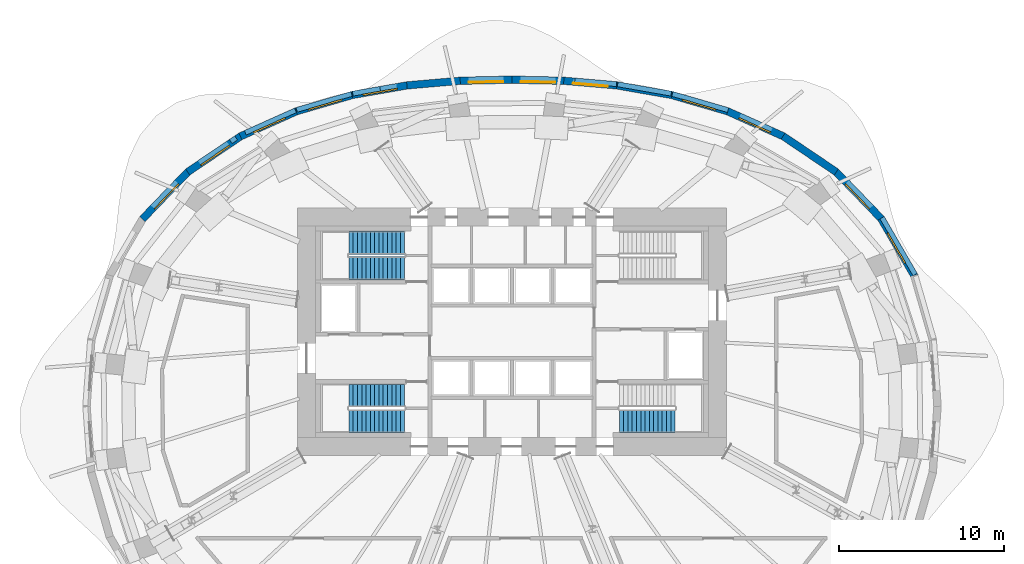
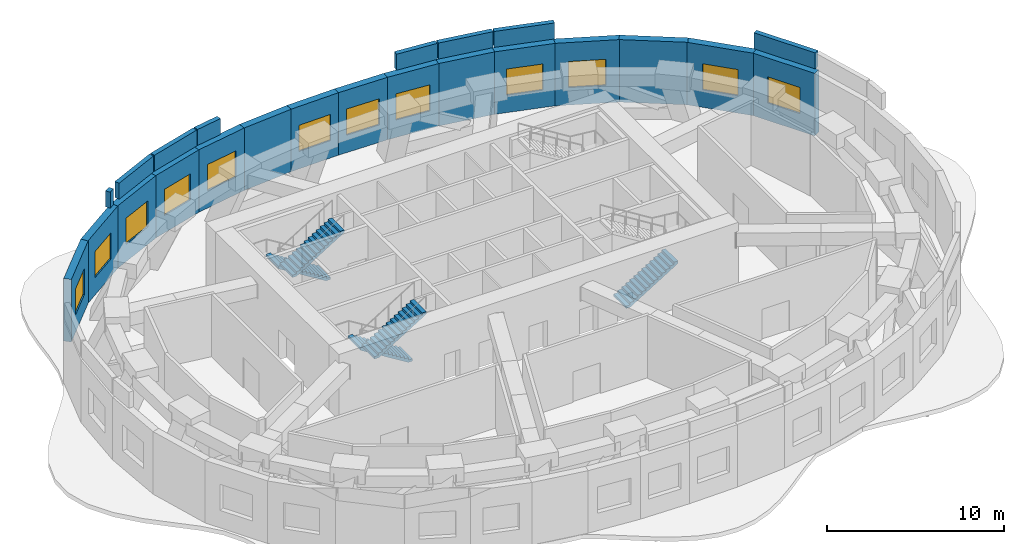
# One storey, part 9 of 11: 23 walls, 12 windows, 5 stair flights, 12 openings, 3 elements without a shape of their own.
"""IFC4 building model written with IfcOpenShell, lengths in metres."""

from ifc_helpers import new_model, si_unit, direction, frame, frame_2d, origin, place, context, subcontext, project, spatial, polyline, rectangle, outline, extrude, material, layer, layer_set, type_object, element, fill, aggregate, save


model = new_model("IFC4")

# Units and contexts
model_context = context("Model", 3, precision=1e-05, world=origin(), true_north=direction((0.0, 1.0)))
body_context = subcontext(model_context, "Body", "Model", "MODEL_VIEW")
ifc_project = project(units=[si_unit("LENGTHUNIT", "METRE"), si_unit("AREAUNIT", "SQUARE_METRE"), si_unit("VOLUMEUNIT", "CUBIC_METRE"), si_unit("PLANEANGLEUNIT", "RADIAN"), si_unit("MASSUNIT", "GRAM", prefix="KILO")], contexts=[model_context])

# Site, building, storey
site_placement = place(None, origin())
site = spatial("IfcSite", under=ifc_project, at=site_placement, CompositionType="ELEMENT")
building_placement = place(site_placement, origin())
building = spatial("IfcBuilding", under=site, at=building_placement, Name="Rubra Terraces Tower", CompositionType="ELEMENT")
storey_placement = place(building_placement, frame((0.0, 0.0, 121.199951171875)))
storey = spatial("IfcBuildingStorey", under=building, at=storey_placement, Name="L29", CompositionType="ELEMENT", Elevation=121.199951171875)

# Wall, opening, window
ifc_material_1 = material(Name="Brick masonry red-brown", Category="masonry")
ifc_layer_1 = layer(ifc_material_1, 0.449951171875)
ifc_layer_set_1 = layer_set([ifc_layer_1], Name="Brick masonry red-brown")
wall_type_1 = type_object("IfcWallType", Name="Brick facade wall 450", PredefinedType="SOLIDWALL", material=ifc_layer_set_1)
wall_1_placement = place(storey_placement, frame((24.386474609375, 7.8740234375, 0.0), z_axis=(0.0, 0.0, 1.0), x_axis=(-0.502055516261, 0.864835393929, 0.0)))
wall_1 = element("IfcWall", 1, at=wall_1_placement, inside=storey, type_object=wall_type_1, Name="Facade wall L29 bay 3", PredefinedType="SOLIDWALL", context=body_context, shape_type="SweptSolid", body=[
    extrude(rectangle(XDim=4.04931640625, YDim=0.449951171875, at=frame_2d((2.024658203125, 0.0))), origin(), (0.0, 0.0, 1.0), 4.300048828125),
])
opening_1_placement = place(wall_1_placement, frame((0.974609375, 0.0, 1.199951171875)))
opening_1 = element("IfcOpeningElement", 2, at=opening_1_placement, cuts=wall_1, Name="Opening W4", PredefinedType="OPENING", context=body_context, shape_type="SweptSolid", body=[
    extrude(rectangle(XDim=2.10009765625, YDim=1.800048828125, at=frame_2d((1.050048828125, 0.89990234375))), frame((0.0, 0.23486328125, 0.0), z_axis=(0.0, -1.0, 0.0), x_axis=(1.0, 0.0, 0.0)), (0.0, 0.0, 1.0), 0.469970703125),
])
ifc_material_2 = material(Name="Clear glass in aluminium frame", Category="aluminium")
window_type = type_object("IfcWindowType", Name="Louvred plant window 2100 x 1800", PartitioningType="SINGLE_PANEL", PredefinedType="WINDOW", material=ifc_material_2)
window_1_placement = place(opening_1_placement, origin())
window_1 = element("IfcWindow", 3, at=window_1_placement, inside=storey, type_object=window_type, Name="Window L29 bay 3", OverallHeight=1.800048828125, OverallWidth=2.10009765625, PartitioningType="SINGLE_PANEL", PredefinedType="WINDOW", context=body_context, shape_type="SweptSolid", body=[
    extrude(rectangle(XDim=2.10009765625, YDim=1.800048828125, at=frame_2d((1.050048828125, 0.89990234375))), frame((0.0, 0.135009765625, 0.0), z_axis=(0.0, -1.0, 0.0), x_axis=(1.0, 0.0, 0.0)), (0.0, 0.0, 1.0), 0.06005859375),
])
fill(opening_1, window_1)

wall_2_placement = place(storey_placement, frame((22.385986328125, 11.332763671875, 0.0), z_axis=(0.0, 0.0, 1.0), x_axis=(-0.694225992979, 0.719757091436, 0.0)))
wall_2 = element("IfcWall", 4, at=wall_2_placement, inside=storey, type_object=wall_type_1, Name="Facade wall L29 bay 4", PredefinedType="SOLIDWALL", context=body_context, shape_type="SweptSolid", body=[
    extrude(rectangle(XDim=3.9970703125, YDim=0.449951171875, at=frame_2d((1.99853515625, 0.0))), origin(), (0.0, 0.0, 1.0), 4.300048828125),
])
opening_2_placement = place(wall_2_placement, frame((0.948486328125, 0.0, 1.199951171875)))
opening_2 = element("IfcOpeningElement", 5, at=opening_2_placement, cuts=wall_2, Name="Opening W4", PredefinedType="OPENING", context=body_context, shape_type="SweptSolid", body=[
    extrude(rectangle(XDim=2.10009765625, YDim=1.800048828125, at=frame_2d((1.050048828125, 0.89990234375))), frame((0.0, 0.23486328125, 0.0), z_axis=(0.0, -1.0, 0.0), x_axis=(1.0, 0.0, 0.0)), (0.0, 0.0, 1.0), 0.469970703125),
])
window_2_placement = place(opening_2_placement, origin())
window_2 = element("IfcWindow", 6, at=window_2_placement, inside=storey, type_object=window_type, Name="Window L29 bay 4", OverallHeight=1.800048828125, OverallWidth=2.10009765625, PartitioningType="SINGLE_PANEL", PredefinedType="WINDOW", context=body_context, shape_type="SweptSolid", body=[
    extrude(rectangle(XDim=2.10009765625, YDim=1.800048828125, at=frame_2d((1.050048828125, 0.89990234375))), frame((0.0, 0.135009765625, 0.0), z_axis=(0.0, -1.0, 0.0), x_axis=(1.0, 0.0, 0.0)), (0.0, 0.0, 1.0), 0.06005859375),
])
fill(opening_2, window_2)

# Wall
wall_3_placement = place(storey_placement, frame((19.647216796875, 14.179443359375, 0.0), z_axis=(0.0, 0.0, 1.0), x_axis=(-0.829039015156, 0.559190764721, 0.0)))
element("IfcWall", 7, at=wall_3_placement, inside=storey, type_object=wall_type_1, Name="Facade wall L29 bay 5", PredefinedType="SOLIDWALL", context=body_context, shape_type="SweptSolid", body=[
    extrude(rectangle(XDim=3.894775390625, YDim=0.449951171875, at=frame_2d((1.947265625, 0.0))), origin(), (0.0, 0.0, 1.0), 4.300048828125),
])

# Wall, opening, window
wall_4_placement = place(storey_placement, frame((16.451904296875, 16.338623046875, 0.0), z_axis=(0.0, 0.0, 1.0), x_axis=(-0.912495881005, 0.409085892142, 0.0)))
wall_4 = element("IfcWall", 8, at=wall_4_placement, inside=storey, type_object=wall_type_1, Name="Facade wall L29 bay 6", PredefinedType="SOLIDWALL", context=body_context, shape_type="SweptSolid", body=[
    extrude(rectangle(XDim=3.740234375, YDim=0.449951171875, at=frame_2d((1.8701171875, 0.0))), origin(), (0.0, 0.0, 1.0), 4.300048828125),
])
opening_3_placement = place(wall_4_placement, frame((0.820068359375, 0.0, 1.199951171875)))
opening_3 = element("IfcOpeningElement", 9, at=opening_3_placement, cuts=wall_4, Name="Opening W4", PredefinedType="OPENING", context=body_context, shape_type="SweptSolid", body=[
    extrude(rectangle(XDim=2.10009765625, YDim=1.800048828125, at=frame_2d((1.050048828125, 0.89990234375))), frame((0.0, 0.23486328125, 0.0), z_axis=(0.0, -1.0, 0.0), x_axis=(1.0, 0.0, 0.0)), (0.0, 0.0, 1.0), 0.469970703125),
])
window_3_placement = place(opening_3_placement, origin())
window_3 = element("IfcWindow", 10, at=window_3_placement, inside=storey, type_object=window_type, Name="Window L29 bay 6", OverallHeight=1.800048828125, OverallWidth=2.10009765625, PartitioningType="SINGLE_PANEL", PredefinedType="WINDOW", context=body_context, shape_type="SweptSolid", body=[
    extrude(rectangle(XDim=2.10009765625, YDim=1.800048828125, at=frame_2d((1.050048828125, 0.89990234375))), frame((0.0, 0.135009765625, 0.0), z_axis=(0.0, -1.0, 0.0), x_axis=(1.0, 0.0, 0.0)), (0.0, 0.0, 1.0), 0.06005859375),
])
fill(opening_3, window_3)

wall_5_placement = place(storey_placement, frame((13.068115234375, 17.85791015625, 0.0), z_axis=(0.0, 0.0, 1.0), x_axis=(-0.96014440171, 0.27950443264, 0.0)))
wall_5 = element("IfcWall", 11, at=wall_5_placement, inside=storey, type_object=wall_type_1, Name="Facade wall L29 bay 7", PredefinedType="SOLIDWALL", context=body_context, shape_type="SweptSolid", body=[
    extrude(rectangle(XDim=3.556884765625, YDim=0.449951171875, at=frame_2d((1.7783203125, 0.0))), origin(), (0.0, 0.0, 1.0), 4.300048828125),
])
opening_4_placement = place(wall_5_placement, frame((0.728515625, 0.0, 1.199951171875)))
opening_4 = element("IfcOpeningElement", 12, at=opening_4_placement, cuts=wall_5, Name="Opening W4", PredefinedType="OPENING", context=body_context, shape_type="SweptSolid", body=[
    extrude(rectangle(XDim=2.10009765625, YDim=1.800048828125, at=frame_2d((1.050048828125, 0.89990234375))), frame((0.0, 0.23486328125, 0.0), z_axis=(0.0, -1.0, 0.0), x_axis=(1.0, 0.0, 0.0)), (0.0, 0.0, 1.0), 0.469970703125),
])
window_4_placement = place(opening_4_placement, origin())
window_4 = element("IfcWindow", 13, at=window_4_placement, inside=storey, type_object=window_type, Name="Window L29 bay 7", OverallHeight=1.800048828125, OverallWidth=2.10009765625, PartitioningType="SINGLE_PANEL", PredefinedType="WINDOW", context=body_context, shape_type="SweptSolid", body=[
    extrude(rectangle(XDim=2.10009765625, YDim=1.800048828125, at=frame_2d((1.050048828125, 0.89990234375))), frame((0.0, 0.135009765625, 0.0), z_axis=(0.0, -1.0, 0.0), x_axis=(1.0, 0.0, 0.0)), (0.0, 0.0, 1.0), 0.06005859375),
])
fill(opening_4, window_4)

# Wall
wall_6_placement = place(storey_placement, frame((9.677001953125, 18.846435546875, 0.0), z_axis=(0.0, 0.0, 1.0), x_axis=(-0.984975558514, 0.172693801654, 0.0)))
element("IfcWall", 14, at=wall_6_placement, inside=storey, type_object=wall_type_1, Name="Facade wall L29 bay 8", PredefinedType="SOLIDWALL", context=body_context, shape_type="SweptSolid", body=[
    extrude(rectangle(XDim=3.381591796875, YDim=0.449951171875, at=frame_2d((1.69091796875, 0.0))), origin(), (0.0, 0.0, 1.0), 4.300048828125),
])

# Wall, opening, window
wall_7_placement = place(storey_placement, frame((6.365478515625, 19.427734375, 0.0), z_axis=(0.0, 0.0, 1.0), x_axis=(-0.996257816502, 0.086431262047, 0.0)))
wall_7 = element("IfcWall", 15, at=wall_7_placement, inside=storey, type_object=wall_type_1, Name="Facade wall L29 bay 9", PredefinedType="SOLIDWALL", context=body_context, shape_type="SweptSolid", body=[
    extrude(rectangle(XDim=3.239990234375, YDim=0.449951171875, at=frame_2d((1.6201171875, 0.0))), origin(), (0.0, 0.0, 1.0), 4.300048828125),
])
opening_5_placement = place(wall_7_placement, frame((0.570068359375, 0.0, 1.199951171875)))
opening_5 = element("IfcOpeningElement", 16, at=opening_5_placement, cuts=wall_7, Name="Opening W4", PredefinedType="OPENING", context=body_context, shape_type="SweptSolid", body=[
    extrude(rectangle(XDim=2.10009765625, YDim=1.800048828125, at=frame_2d((1.050048828125, 0.89990234375))), frame((0.0, 0.23486328125, 0.0), z_axis=(0.0, -1.0, 0.0), x_axis=(1.0, 0.0, 0.0)), (0.0, 0.0, 1.0), 0.469970703125),
])
window_5_placement = place(opening_5_placement, origin())
window_5 = element("IfcWindow", 17, at=window_5_placement, inside=storey, type_object=window_type, Name="Window L29 bay 9", OverallHeight=1.800048828125, OverallWidth=2.10009765625, PartitioningType="SINGLE_PANEL", PredefinedType="WINDOW", context=body_context, shape_type="SweptSolid", body=[
    extrude(rectangle(XDim=2.10009765625, YDim=1.800048828125, at=frame_2d((1.050048828125, 0.89990234375))), frame((0.0, 0.135009765625, 0.0), z_axis=(0.0, -1.0, 0.0), x_axis=(1.0, 0.0, 0.0)), (0.0, 0.0, 1.0), 0.06005859375),
])
fill(opening_5, window_5)

wall_8_placement = place(storey_placement, frame((3.152099609375, 19.70703125, 0.0), z_axis=(0.0, 0.0, 1.0), x_axis=(-0.999768982512, 0.021493757415, 0.0)))
wall_8 = element("IfcWall", 18, at=wall_8_placement, inside=storey, type_object=wall_type_1, Name="Facade wall L29 bay 10", PredefinedType="SOLIDWALL", context=body_context, shape_type="SweptSolid", body=[
    extrude(rectangle(XDim=3.15771484375, YDim=0.449951171875, at=frame_2d((1.578857421875, 0.0))), origin(), (0.0, 0.0, 1.0), 4.300048828125),
])
opening_6_placement = place(wall_8_placement, frame((0.52880859375, 0.0, 1.199951171875)))
opening_6 = element("IfcOpeningElement", 19, at=opening_6_placement, cuts=wall_8, Name="Opening W4", PredefinedType="OPENING", context=body_context, shape_type="SweptSolid", body=[
    extrude(rectangle(XDim=2.10009765625, YDim=1.800048828125, at=frame_2d((1.050048828125, 0.89990234375))), frame((0.0, 0.23486328125, 0.0), z_axis=(0.0, -1.0, 0.0), x_axis=(1.0, 0.0, 0.0)), (0.0, 0.0, 1.0), 0.469970703125),
])
window_6_placement = place(opening_6_placement, origin())
window_6 = element("IfcWindow", 20, at=window_6_placement, inside=storey, type_object=window_type, Name="Window L29 bay 10", OverallHeight=1.800048828125, OverallWidth=2.10009765625, PartitioningType="SINGLE_PANEL", PredefinedType="WINDOW", context=body_context, shape_type="SweptSolid", body=[
    extrude(rectangle(XDim=2.10009765625, YDim=1.800048828125, at=frame_2d((1.050048828125, 0.89990234375))), frame((0.0, 0.135009765625, 0.0), z_axis=(0.0, -1.0, 0.0), x_axis=(1.0, 0.0, 0.0)), (0.0, 0.0, 1.0), 0.06005859375),
])
fill(opening_6, window_6)

wall_9_placement = place(storey_placement, frame((0.0048828125, 19.77490234375, 0.0), z_axis=(0.0, 0.0, 1.0), x_axis=(-0.999768982512, -0.021493757415, 0.0)))
wall_9 = element("IfcWall", 21, at=wall_9_placement, inside=storey, type_object=wall_type_1, Name="Facade wall L29 bay 11", PredefinedType="SOLIDWALL", context=body_context, shape_type="SweptSolid", body=[
    extrude(rectangle(XDim=3.15771484375, YDim=0.449951171875, at=frame_2d((1.578857421875, 0.0))), origin(), (0.0, 0.0, 1.0), 4.300048828125),
])
opening_7_placement = place(wall_9_placement, frame((0.52880859375, 0.0, 1.199951171875)))
opening_7 = element("IfcOpeningElement", 22, at=opening_7_placement, cuts=wall_9, Name="Opening W4", PredefinedType="OPENING", context=body_context, shape_type="SweptSolid", body=[
    extrude(rectangle(XDim=2.10009765625, YDim=1.800048828125, at=frame_2d((1.050048828125, 0.89990234375))), frame((0.0, 0.23486328125, 0.0), z_axis=(0.0, -1.0, 0.0), x_axis=(1.0, 0.0, 0.0)), (0.0, 0.0, 1.0), 0.469970703125),
])
window_7_placement = place(opening_7_placement, origin())
window_7 = element("IfcWindow", 23, at=window_7_placement, inside=storey, type_object=window_type, Name="Window L29 bay 11", OverallHeight=1.800048828125, OverallWidth=2.10009765625, PartitioningType="SINGLE_PANEL", PredefinedType="WINDOW", context=body_context, shape_type="SweptSolid", body=[
    extrude(rectangle(XDim=2.10009765625, YDim=1.800048828125, at=frame_2d((1.050048828125, 0.89990234375))), frame((0.0, 0.135009765625, 0.0), z_axis=(0.0, -1.0, 0.0), x_axis=(1.0, 0.0, 0.0)), (0.0, 0.0, 1.0), 0.06005859375),
])
fill(opening_7, window_7)

# Wall
wall_10_placement = place(storey_placement, frame((-3.1376953125, 19.707763671875, 0.0), z_axis=(0.0, 0.0, 1.0), x_axis=(-0.996257816502, -0.086431262047, 0.0)))
element("IfcWall", 24, at=wall_10_placement, inside=storey, type_object=wall_type_1, Name="Facade wall L29 bay 12", PredefinedType="SOLIDWALL", context=body_context, shape_type="SweptSolid", body=[
    extrude(rectangle(XDim=3.239990234375, YDim=0.449951171875, at=frame_2d((1.6201171875, 0.0))), origin(), (0.0, 0.0, 1.0), 4.300048828125),
])

# Wall, opening, window
wall_11_placement = place(storey_placement, frame((-6.34619140625, 19.430419921875, 0.0), z_axis=(0.0, 0.0, 1.0), x_axis=(-0.984975558514, -0.172693801654, 0.0)))
wall_11 = element("IfcWall", 25, at=wall_11_placement, inside=storey, type_object=wall_type_1, Name="Facade wall L29 bay 13", PredefinedType="SOLIDWALL", context=body_context, shape_type="SweptSolid", body=[
    extrude(rectangle(XDim=3.381591796875, YDim=0.449951171875, at=frame_2d((1.69091796875, 0.0))), origin(), (0.0, 0.0, 1.0), 4.300048828125),
])
opening_8_placement = place(wall_11_placement, frame((0.640869140625, 0.0, 1.199951171875)))
opening_8 = element("IfcOpeningElement", 26, at=opening_8_placement, cuts=wall_11, Name="Opening W4", PredefinedType="OPENING", context=body_context, shape_type="SweptSolid", body=[
    extrude(rectangle(XDim=2.10009765625, YDim=1.800048828125, at=frame_2d((1.050048828125, 0.89990234375))), frame((0.0, 0.23486328125, 0.0), z_axis=(0.0, -1.0, 0.0), x_axis=(1.0, 0.0, 0.0)), (0.0, 0.0, 1.0), 0.469970703125),
])
window_8_placement = place(opening_8_placement, origin())
window_8 = element("IfcWindow", 27, at=window_8_placement, inside=storey, type_object=window_type, Name="Window L29 bay 13", OverallHeight=1.800048828125, OverallWidth=2.10009765625, PartitioningType="SINGLE_PANEL", PredefinedType="WINDOW", context=body_context, shape_type="SweptSolid", body=[
    extrude(rectangle(XDim=2.10009765625, YDim=1.800048828125, at=frame_2d((1.050048828125, 0.89990234375))), frame((0.0, 0.135009765625, 0.0), z_axis=(0.0, -1.0, 0.0), x_axis=(1.0, 0.0, 0.0)), (0.0, 0.0, 1.0), 0.06005859375),
])
fill(opening_8, window_8)

wall_12_placement = place(storey_placement, frame((-9.653076171875, 18.85205078125, 0.0), z_axis=(0.0, 0.0, 1.0), x_axis=(-0.96014440171, -0.27950443264, 0.0)))
wall_12 = element("IfcWall", 28, at=wall_12_placement, inside=storey, type_object=wall_type_1, Name="Facade wall L29 bay 14", PredefinedType="SOLIDWALL", context=body_context, shape_type="SweptSolid", body=[
    extrude(rectangle(XDim=3.556884765625, YDim=0.449951171875, at=frame_2d((1.7783203125, 0.0))), origin(), (0.0, 0.0, 1.0), 4.300048828125),
])
opening_9_placement = place(wall_12_placement, frame((0.728515625, 0.0, 1.199951171875)))
opening_9 = element("IfcOpeningElement", 29, at=opening_9_placement, cuts=wall_12, Name="Opening W4", PredefinedType="OPENING", context=body_context, shape_type="SweptSolid", body=[
    extrude(rectangle(XDim=2.10009765625, YDim=1.800048828125, at=frame_2d((1.050048828125, 0.89990234375))), frame((0.0, 0.23486328125, 0.0), z_axis=(0.0, -1.0, 0.0), x_axis=(1.0, 0.0, 0.0)), (0.0, 0.0, 1.0), 0.469970703125),
])
window_9_placement = place(opening_9_placement, origin())
window_9 = element("IfcWindow", 30, at=window_9_placement, inside=storey, type_object=window_type, Name="Window L29 bay 14", OverallHeight=1.800048828125, OverallWidth=2.10009765625, PartitioningType="SINGLE_PANEL", PredefinedType="WINDOW", context=body_context, shape_type="SweptSolid", body=[
    extrude(rectangle(XDim=2.10009765625, YDim=1.800048828125, at=frame_2d((1.050048828125, 0.89990234375))), frame((0.0, 0.135009765625, 0.0), z_axis=(0.0, -1.0, 0.0), x_axis=(1.0, 0.0, 0.0)), (0.0, 0.0, 1.0), 0.06005859375),
])
fill(opening_9, window_9)

wall_13_placement = place(storey_placement, frame((-13.0390625, 17.86865234375, 0.0), z_axis=(0.0, 0.0, 1.0), x_axis=(-0.912495881005, -0.409085892142, 0.0)))
wall_13 = element("IfcWall", 31, at=wall_13_placement, inside=storey, type_object=wall_type_1, Name="Facade wall L29 bay 15", PredefinedType="SOLIDWALL", context=body_context, shape_type="SweptSolid", body=[
    extrude(rectangle(XDim=3.740234375, YDim=0.449951171875, at=frame_2d((1.8701171875, 0.0))), origin(), (0.0, 0.0, 1.0), 4.300048828125),
])
opening_10_placement = place(wall_13_placement, frame((0.820068359375, 0.0, 1.199951171875)))
opening_10 = element("IfcOpeningElement", 32, at=opening_10_placement, cuts=wall_13, Name="Opening W4", PredefinedType="OPENING", context=body_context, shape_type="SweptSolid", body=[
    extrude(rectangle(XDim=2.10009765625, YDim=1.800048828125, at=frame_2d((1.050048828125, 0.89990234375))), frame((0.0, 0.23486328125, 0.0), z_axis=(0.0, -1.0, 0.0), x_axis=(1.0, 0.0, 0.0)), (0.0, 0.0, 1.0), 0.469970703125),
])
window_10_placement = place(opening_10_placement, origin())
window_10 = element("IfcWindow", 33, at=window_10_placement, inside=storey, type_object=window_type, Name="Window L29 bay 15", OverallHeight=1.800048828125, OverallWidth=2.10009765625, PartitioningType="SINGLE_PANEL", PredefinedType="WINDOW", context=body_context, shape_type="SweptSolid", body=[
    extrude(rectangle(XDim=2.10009765625, YDim=1.800048828125, at=frame_2d((1.050048828125, 0.89990234375))), frame((0.0, 0.135009765625, 0.0), z_axis=(0.0, -1.0, 0.0), x_axis=(1.0, 0.0, 0.0)), (0.0, 0.0, 1.0), 0.06005859375),
])
fill(opening_10, window_10)

wall_14_placement = place(storey_placement, frame((-16.418212890625, 16.357421875, 0.0), z_axis=(0.0, 0.0, 1.0), x_axis=(-0.829039015156, -0.559190764721, 0.0)))
wall_14 = element("IfcWall", 34, at=wall_14_placement, inside=storey, type_object=wall_type_1, Name="Facade wall L29 bay 16", PredefinedType="SOLIDWALL", context=body_context, shape_type="SweptSolid", body=[
    extrude(rectangle(XDim=3.894775390625, YDim=0.449951171875, at=frame_2d((1.947265625, 0.0))), origin(), (0.0, 0.0, 1.0), 4.300048828125),
])
opening_11_placement = place(wall_14_placement, frame((0.8974609375, 0.0, 1.199951171875)))
opening_11 = element("IfcOpeningElement", 35, at=opening_11_placement, cuts=wall_14, Name="Opening W4", PredefinedType="OPENING", context=body_context, shape_type="SweptSolid", body=[
    extrude(rectangle(XDim=2.10009765625, YDim=1.800048828125, at=frame_2d((1.050048828125, 0.89990234375))), frame((0.0, 0.23486328125, 0.0), z_axis=(0.0, -1.0, 0.0), x_axis=(1.0, 0.0, 0.0)), (0.0, 0.0, 1.0), 0.469970703125),
])
window_11_placement = place(opening_11_placement, origin())
window_11 = element("IfcWindow", 36, at=window_11_placement, inside=storey, type_object=window_type, Name="Window L29 bay 16", OverallHeight=1.800048828125, OverallWidth=2.10009765625, PartitioningType="SINGLE_PANEL", PredefinedType="WINDOW", context=body_context, shape_type="SweptSolid", body=[
    extrude(rectangle(XDim=2.10009765625, YDim=1.800048828125, at=frame_2d((1.050048828125, 0.89990234375))), frame((0.0, 0.135009765625, 0.0), z_axis=(0.0, -1.0, 0.0), x_axis=(1.0, 0.0, 0.0)), (0.0, 0.0, 1.0), 0.06005859375),
])
fill(opening_11, window_11)

wall_15_placement = place(storey_placement, frame((-19.611083984375, 14.209716796875, 0.0), z_axis=(0.0, 0.0, 1.0), x_axis=(-0.694225992979, -0.719757091436, 0.0)))
wall_15 = element("IfcWall", 37, at=wall_15_placement, inside=storey, type_object=wall_type_1, Name="Facade wall L29 bay 17", PredefinedType="SOLIDWALL", context=body_context, shape_type="SweptSolid", body=[
    extrude(rectangle(XDim=3.9970703125, YDim=0.449951171875, at=frame_2d((1.99853515625, 0.0))), origin(), (0.0, 0.0, 1.0), 4.300048828125),
])
opening_12_placement = place(wall_15_placement, frame((0.948486328125, 0.0, 1.199951171875)))
opening_12 = element("IfcOpeningElement", 38, at=opening_12_placement, cuts=wall_15, Name="Opening W4", PredefinedType="OPENING", context=body_context, shape_type="SweptSolid", body=[
    extrude(rectangle(XDim=2.10009765625, YDim=1.800048828125, at=frame_2d((1.050048828125, 0.89990234375))), frame((0.0, 0.23486328125, 0.0), z_axis=(0.0, -1.0, 0.0), x_axis=(1.0, 0.0, 0.0)), (0.0, 0.0, 1.0), 0.469970703125),
])
window_12_placement = place(opening_12_placement, origin())
window_12 = element("IfcWindow", 39, at=window_12_placement, inside=storey, type_object=window_type, Name="Window L29 bay 17", OverallHeight=1.800048828125, OverallWidth=2.10009765625, PartitioningType="SINGLE_PANEL", PredefinedType="WINDOW", context=body_context, shape_type="SweptSolid", body=[
    extrude(rectangle(XDim=2.10009765625, YDim=1.800048828125, at=frame_2d((1.050048828125, 0.89990234375))), frame((0.0, 0.135009765625, 0.0), z_axis=(0.0, -1.0, 0.0), x_axis=(1.0, 0.0, 0.0)), (0.0, 0.0, 1.0), 0.06005859375),
])
fill(opening_12, window_12)

# Walls
ifc_layer_2 = layer(ifc_material_1, 0.300048828125)
ifc_layer_set_2 = layer_set([ifc_layer_2], Name="Brick masonry red-brown")
wall_type_2 = type_object("IfcWallType", Name="Brick parapet 300", PredefinedType="PARAPET", material=ifc_layer_set_2)
wall_16_placement = place(storey_placement, frame((24.41748046875, 7.9697265625, 4.5), z_axis=(0.0, 0.0, 1.0), x_axis=(-0.502036422289, 0.864846478108, 0.0)))
element("IfcWall", 40, at=wall_16_placement, inside=storey, type_object=wall_type_2, Name="Parapet L29 bay 3", PredefinedType="PARAPET", context=body_context, shape_type="SweptSolid", body=[
    extrude(rectangle(XDim=3.982421875, YDim=0.300048828125, at=frame_2d((1.9912109375, 0.0))), origin(), (0.0, 0.0, 1.0), 1.10009765625),
])
wall_17_placement = place(storey_placement, frame((13.089111328125, 17.929931640625, 4.5), z_axis=(0.0, 0.0, 1.0), x_axis=(-0.960157979115, 0.279457787764, 0.0)))
element("IfcWall", 41, at=wall_17_placement, inside=storey, type_object=wall_type_2, Name="Parapet L29 bay 7", PredefinedType="PARAPET", context=body_context, shape_type="SweptSolid", body=[
    extrude(rectangle(XDim=3.51025390625, YDim=0.300048828125, at=frame_2d((1.755126953125, 0.0))), origin(), (0.0, 0.0, 1.0), 1.10009765625),
])
wall_18_placement = place(storey_placement, frame((9.644287109375, 18.92822265625, 4.5), z_axis=(0.0, 0.0, 1.0), x_axis=(-0.984971857125, 0.172714911553, 0.0)))
element("IfcWall", 42, at=wall_18_placement, inside=storey, type_object=wall_type_2, Name="Parapet L29 bay 8", PredefinedType="PARAPET", context=body_context, shape_type="SweptSolid", body=[
    extrude(rectangle(XDim=3.292236328125, YDim=0.300048828125, at=frame_2d((1.64599609375, 0.0))), origin(), (0.0, 0.0, 1.0), 1.10009765625),
])
wall_19_placement = place(storey_placement, frame((6.3291015625, 19.50634765625, 4.5), z_axis=(0.0, 0.0, 1.0), x_axis=(-0.996261878545, 0.086384427748, 0.0)))
element("IfcWall", 43, at=wall_19_placement, inside=storey, type_object=wall_type_2, Name="Parapet L29 bay 9", PredefinedType="PARAPET", context=body_context, shape_type="SweptSolid", body=[
    extrude(rectangle(XDim=2.53515625, YDim=0.300048828125, at=frame_2d((1.267578125, 0.0))), origin(), (0.0, 0.0, 1.0), 1.10009765625),
])
wall_20_placement = place(storey_placement, frame((-7.988525390625, 19.218505859375, 4.5), z_axis=(0.0, 0.0, 1.0), x_axis=(-0.984977400001, -0.172683298231, 0.0)))
element("IfcWall", 44, at=wall_20_placement, inside=storey, type_object=wall_type_2, Name="Parapet L29 bay 13", PredefinedType="PARAPET", context=body_context, shape_type="SweptSolid", body=[
    extrude(rectangle(XDim=1.680908203125, YDim=0.300048828125, at=frame_2d((0.84033203125, 0.0))), origin(), (0.0, 0.0, 1.0), 1.10009765625),
])
wall_21_placement = place(storey_placement, frame((-9.71875, 18.910888671875, 4.5), z_axis=(0.0, 0.0, 1.0), x_axis=(-0.960153987317, -0.279471502372, 0.0)))
element("IfcWall", 45, at=wall_21_placement, inside=storey, type_object=wall_type_2, Name="Parapet L29 bay 14", PredefinedType="PARAPET", context=body_context, shape_type="SweptSolid", body=[
    extrude(rectangle(XDim=3.45947265625, YDim=0.300048828125, at=frame_2d((1.729736328125, 0.0))), origin(), (0.0, 0.0, 1.0), 1.10009765625),
])
wall_22_placement = place(storey_placement, frame((-13.115966796875, 17.916259765625, 4.5), z_axis=(0.0, 0.0, 1.0), x_axis=(-0.912528196224, -0.409013803064, 0.0)))
element("IfcWall", 46, at=wall_22_placement, inside=storey, type_object=wall_type_2, Name="Parapet L29 bay 15", PredefinedType="PARAPET", context=body_context, shape_type="SweptSolid", body=[
    extrude(rectangle(XDim=3.330078125, YDim=0.300048828125, at=frame_2d((1.6650390625, 0.0))), origin(), (0.0, 0.0, 1.0), 1.10009765625),
])
wall_23_placement = place(storey_placement, frame((-16.71484375, 16.247802734375, 4.5), z_axis=(0.0, 0.0, 1.0), x_axis=(-0.829092109297, -0.559112040919, 0.0)))
element("IfcWall", 47, at=wall_23_placement, inside=storey, type_object=wall_type_2, Name="Parapet L29 bay 16", PredefinedType="PARAPET", context=body_context, shape_type="SweptSolid", body=[
    extrude(rectangle(XDim=0.395263671875, YDim=0.300048828125, at=frame_2d((0.19775390625, 0.0))), origin(), (0.0, 0.0, 1.0), 1.10009765625),
])

# Stair, stair flights
ifc_material_3 = material(Name="Concrete C40", Category="concrete")
stair_type = type_object("IfcStairType", Name="Core stair 1400", PredefinedType="HALF_TURN_STAIR", material=ifc_material_3)
stair_1_placement = place(storey_placement, origin())
stair_1 = element("IfcStair", 48, at=stair_1_placement, inside=storey, type_object=stair_type, Name="L29 Exit stair S1", PredefinedType="HALF_TURN_STAIR")
stair_flight_type = type_object("IfcStairFlightType", Name="Core stair flight 1400", PredefinedType="STRAIGHT", material=ifc_material_3)
stair_flight_1_placement = place(storey_placement, frame((-6.5, 0.64990234375, 0.0), z_axis=(0.0, 0.0, 1.0), x_axis=(-1.0, 0.0, 0.0)))
stair_flight_1 = element("IfcStairFlight", 49, at=stair_flight_1_placement, type_object=stair_flight_type, Name="S1 flight 1", NumberOfRisers=14, NumberOfTreads=13, PredefinedType="STRAIGHT", RiserHeight=0.160714286, TreadLength=0.26, context=body_context, shape_type="SweptSolid", body=[
    extrude(outline(polyline([(0.0, 0.0), (0.0, 0.16064453125), (0.260009765625, 0.16064453125), (0.260009765625, 0.321533203125), (0.52001953125, 0.321533203125), (0.52001953125, 0.482177734375), (0.780029296875, 0.482177734375), (0.780029296875, 0.642822265625), (1.0400390625, 0.642822265625), (1.0400390625, 0.803466796875), (1.300048828125, 0.803466796875), (1.300048828125, 0.96435546875), (1.56005859375, 0.96435546875), (1.56005859375, 1.125), (1.820068359375, 1.125), (1.820068359375, 1.28564453125), (2.080078125, 1.28564453125), (2.080078125, 1.446533203125), (2.340087890625, 1.446533203125), (2.340087890625, 1.607177734375), (2.60009765625, 1.607177734375), (2.60009765625, 1.767822265625), (2.860107421875, 1.767822265625), (2.860107421875, 1.928466796875), (3.1201171875, 1.928466796875), (3.1201171875, 2.08935546875), (3.3798828125, 2.08935546875), (3.3798828125, 2.25), (3.3798828125, 1.9130859375), (0.28515625, 0.0), (0.0, 0.0)])), frame((0.0, 0.699951171875, 0.0), z_axis=(0.0, -1.0, 0.0), x_axis=(1.0, 0.0, 0.0)), (0.0, 0.0, 1.0), 1.39990234375),
])
stair_flight_2_placement = place(storey_placement, frame((-9.8798828125, -0.89990234375, 2.25), z_axis=(0.0, 0.0, 1.0), x_axis=(1.0, 0.0, 0.0)))
stair_flight_2 = element("IfcStairFlight", 50, at=stair_flight_2_placement, type_object=stair_flight_type, Name="S1 flight 2", NumberOfRisers=14, NumberOfTreads=13, PredefinedType="STRAIGHT", RiserHeight=0.160714286, TreadLength=0.26, context=body_context, shape_type="SweptSolid", body=[
    extrude(outline(polyline([(0.0, 0.0), (0.0, 0.16064453125), (0.260009765625, 0.16064453125), (0.260009765625, 0.321533203125), (0.52001953125, 0.321533203125), (0.52001953125, 0.482177734375), (0.780029296875, 0.482177734375), (0.780029296875, 0.642822265625), (1.0400390625, 0.642822265625), (1.0400390625, 0.803466796875), (1.300048828125, 0.803466796875), (1.300048828125, 0.96435546875), (1.56005859375, 0.96435546875), (1.56005859375, 1.125), (1.820068359375, 1.125), (1.820068359375, 1.28564453125), (2.080078125, 1.28564453125), (2.080078125, 1.446533203125), (2.340087890625, 1.446533203125), (2.340087890625, 1.607177734375), (2.60009765625, 1.607177734375), (2.60009765625, 1.767822265625), (2.860107421875, 1.767822265625), (2.860107421875, 1.928466796875), (3.1201171875, 1.928466796875), (3.1201171875, 2.08935546875), (3.3798828125, 2.08935546875), (3.3798828125, 2.25), (3.3798828125, 1.9130859375), (0.28515625, 0.0), (0.0, 0.0)])), frame((0.0, 0.699951171875, 0.0), z_axis=(0.0, -1.0, 0.0), x_axis=(1.0, 0.0, 0.0)), (0.0, 0.0, 1.0), 1.39990234375),
])
aggregate(stair_1, [stair_flight_1, stair_flight_2])

stair_2_placement = place(storey_placement, origin())
stair_2 = element("IfcStair", 51, at=stair_2_placement, inside=storey, type_object=stair_type, Name="L29 Exit stair S2", PredefinedType="HALF_TURN_STAIR")
stair_flight_3_placement = place(storey_placement, frame((-6.5, 9.89990234375, 0.0), z_axis=(0.0, 0.0, 1.0), x_axis=(-1.0, 0.0, 0.0)))
stair_flight_3 = element("IfcStairFlight", 52, at=stair_flight_3_placement, type_object=stair_flight_type, Name="S2 flight 1", NumberOfRisers=14, NumberOfTreads=13, PredefinedType="STRAIGHT", RiserHeight=0.160714286, TreadLength=0.26, context=body_context, shape_type="SweptSolid", body=[
    extrude(outline(polyline([(0.0, 0.0), (0.0, 0.16064453125), (0.260009765625, 0.16064453125), (0.260009765625, 0.321533203125), (0.52001953125, 0.321533203125), (0.52001953125, 0.482177734375), (0.780029296875, 0.482177734375), (0.780029296875, 0.642822265625), (1.0400390625, 0.642822265625), (1.0400390625, 0.803466796875), (1.300048828125, 0.803466796875), (1.300048828125, 0.96435546875), (1.56005859375, 0.96435546875), (1.56005859375, 1.125), (1.820068359375, 1.125), (1.820068359375, 1.28564453125), (2.080078125, 1.28564453125), (2.080078125, 1.446533203125), (2.340087890625, 1.446533203125), (2.340087890625, 1.607177734375), (2.60009765625, 1.607177734375), (2.60009765625, 1.767822265625), (2.860107421875, 1.767822265625), (2.860107421875, 1.928466796875), (3.1201171875, 1.928466796875), (3.1201171875, 2.08935546875), (3.3798828125, 2.08935546875), (3.3798828125, 2.25), (3.3798828125, 1.9130859375), (0.28515625, 0.0), (0.0, 0.0)])), frame((0.0, 0.699951171875, 0.0), z_axis=(0.0, -1.0, 0.0), x_axis=(1.0, 0.0, 0.0)), (0.0, 0.0, 1.0), 1.39990234375),
])
stair_flight_4_placement = place(storey_placement, frame((-9.8798828125, 8.35009765625, 2.25), z_axis=(0.0, 0.0, 1.0), x_axis=(1.0, 0.0, 0.0)))
stair_flight_4 = element("IfcStairFlight", 53, at=stair_flight_4_placement, type_object=stair_flight_type, Name="S2 flight 2", NumberOfRisers=14, NumberOfTreads=13, PredefinedType="STRAIGHT", RiserHeight=0.160714286, TreadLength=0.26, context=body_context, shape_type="SweptSolid", body=[
    extrude(outline(polyline([(0.0, 0.0), (0.0, 0.16064453125), (0.260009765625, 0.16064453125), (0.260009765625, 0.321533203125), (0.52001953125, 0.321533203125), (0.52001953125, 0.482177734375), (0.780029296875, 0.482177734375), (0.780029296875, 0.642822265625), (1.0400390625, 0.642822265625), (1.0400390625, 0.803466796875), (1.300048828125, 0.803466796875), (1.300048828125, 0.96435546875), (1.56005859375, 0.96435546875), (1.56005859375, 1.125), (1.820068359375, 1.125), (1.820068359375, 1.28564453125), (2.080078125, 1.28564453125), (2.080078125, 1.446533203125), (2.340087890625, 1.446533203125), (2.340087890625, 1.607177734375), (2.60009765625, 1.607177734375), (2.60009765625, 1.767822265625), (2.860107421875, 1.767822265625), (2.860107421875, 1.928466796875), (3.1201171875, 1.928466796875), (3.1201171875, 2.08935546875), (3.3798828125, 2.08935546875), (3.3798828125, 2.25), (3.3798828125, 1.9130859375), (0.28515625, 0.0), (0.0, 0.0)])), frame((0.0, 0.699951171875, 0.0), z_axis=(0.0, -1.0, 0.0), x_axis=(1.0, 0.0, 0.0)), (0.0, 0.0, 1.0), 1.39990234375),
])
aggregate(stair_2, [stair_flight_3, stair_flight_4])

# Stair, stair flight
stair_3_placement = place(storey_placement, origin())
stair_3 = element("IfcStair", 54, at=stair_3_placement, inside=storey, type_object=stair_type, Name="L29 Exit stair S4", PredefinedType="HALF_TURN_STAIR")
stair_flight_5_placement = place(storey_placement, frame((6.5, -0.89990234375, 0.0), z_axis=(0.0, 0.0, 1.0), x_axis=(1.0, 0.0, 0.0)))
stair_flight_5 = element("IfcStairFlight", 55, at=stair_flight_5_placement, type_object=stair_flight_type, Name="S4 flight 1", NumberOfRisers=14, NumberOfTreads=13, PredefinedType="STRAIGHT", RiserHeight=0.160714286, TreadLength=0.26, context=body_context, shape_type="SweptSolid", body=[
    extrude(outline(polyline([(0.0, 0.0), (0.0, 0.16064453125), (0.260009765625, 0.16064453125), (0.260009765625, 0.321533203125), (0.52001953125, 0.321533203125), (0.52001953125, 0.482177734375), (0.780029296875, 0.482177734375), (0.780029296875, 0.642822265625), (1.0400390625, 0.642822265625), (1.0400390625, 0.803466796875), (1.300048828125, 0.803466796875), (1.300048828125, 0.96435546875), (1.56005859375, 0.96435546875), (1.56005859375, 1.125), (1.820068359375, 1.125), (1.820068359375, 1.28564453125), (2.080078125, 1.28564453125), (2.080078125, 1.446533203125), (2.340087890625, 1.446533203125), (2.340087890625, 1.607177734375), (2.60009765625, 1.607177734375), (2.60009765625, 1.767822265625), (2.860107421875, 1.767822265625), (2.860107421875, 1.928466796875), (3.1201171875, 1.928466796875), (3.1201171875, 2.08935546875), (3.3798828125, 2.08935546875), (3.3798828125, 2.25), (3.3798828125, 1.9130859375), (0.28515625, 0.0), (0.0, 0.0)])), frame((0.0, 0.699951171875, 0.0), z_axis=(0.0, -1.0, 0.0), x_axis=(1.0, 0.0, 0.0)), (0.0, 0.0, 1.0), 1.39990234375),
])
aggregate(stair_3, [stair_flight_5])

save(model, "model.ifc")
